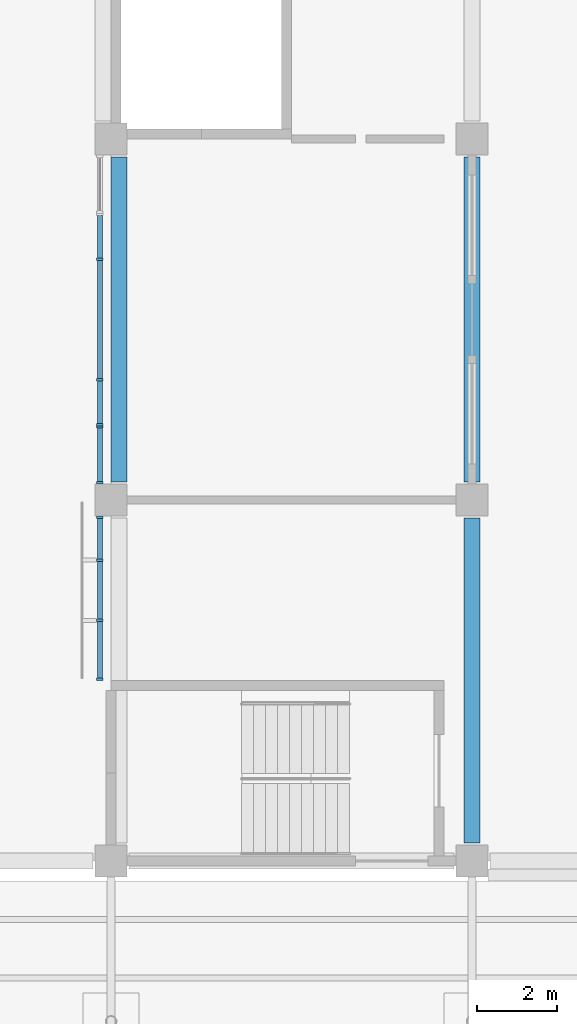
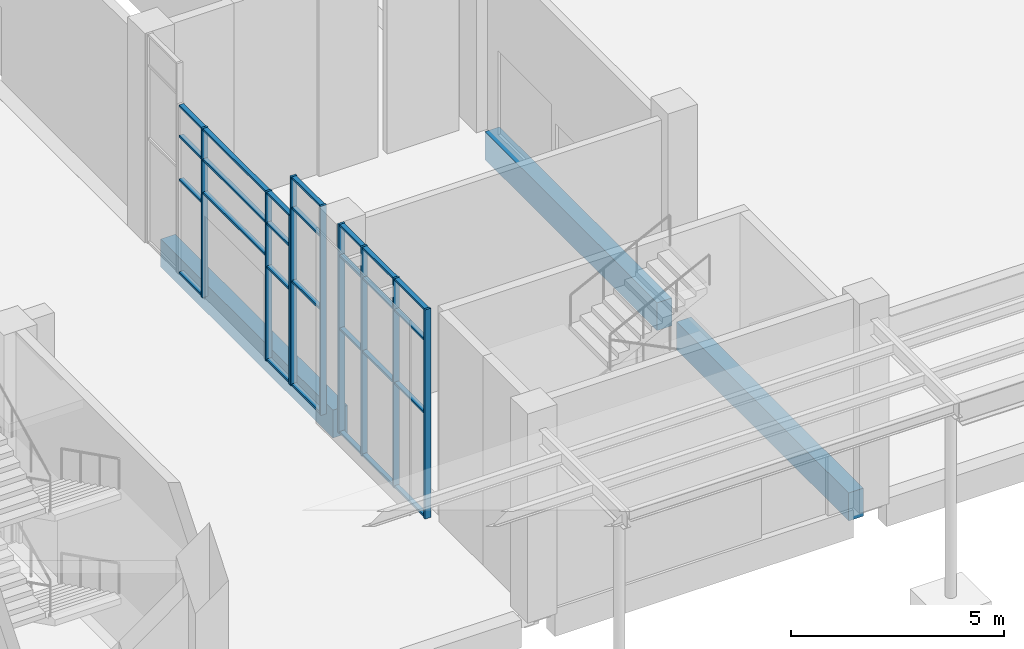
# One storey, part 15 of 86: 36 members, 3 beams, 3 elements without a shape of their own.
"""IFC4 building model written with IfcOpenShell, lengths in metres."""

import ifcopenshell
import ifcopenshell.guid

model = None  # the IFC model being written
_history = None  # IfcOwnerHistory: only IFC2X3 demands one
_inside = {}  # id of a spatial element -> (the spatial element, [elements in it])
_under = {}  # id of a project, library or spatial element -> (it, [spatial elements below it])
_declared = {}  # id of a project -> (the project, [libraries it declares])
_typed = {}  # id of a type object -> (the type object, [elements of that type])
_made_of = {}  # id of a material, layer set ... -> (it, [elements and type objects made of it])


def new_model(schema):
    """Start an empty IFC model of exactly this schema.

    Asked for "IFC4X3", IfcOpenShell would pick the latest addendum, in which some entities
    have other attributes; the version numbers below select the first issue.
    IFC2X3 requires an IfcOwnerHistory on every rooted entity: one is made here for all.
    """
    global model, _history
    if schema == "IFC4X3":
        model = ifcopenshell.file(schema_version=(4, 3, 0, 0))
    else:
        model = ifcopenshell.file(schema=schema)
    _inside.clear()
    _under.clear()
    _declared.clear()
    _typed.clear()
    _made_of.clear()
    _history = None
    if model.schema == "IFC2X3":
        org = make("IfcOrganization", Name="unknown")
        user = make(
            "IfcPersonAndOrganization",
            ThePerson=make("IfcPerson", FamilyName="unknown"),
            TheOrganization=org,
        )
        app = make(
            "IfcApplication",
            ApplicationDeveloper=org,
            Version="unknown",
            ApplicationFullName="unknown",
            ApplicationIdentifier="unknown",
        )
        _history = make(
            "IfcOwnerHistory",
            OwningUser=user,
            OwningApplication=app,
            ChangeAction="ADDED",
            CreationDate=0,
        )
    return model


def make(cls, **values):
    """One entity of the class cls with the attributes given. An attribute that is None is left unset."""
    return model.create_entity(
        cls, **{name: value for name, value in values.items() if value is not None}
    )


def rooted(cls, **values):
    """An entity with a GlobalId (a new one), such as an element, a storey or a relation."""
    return make(cls, GlobalId=ifcopenshell.guid.new(), OwnerHistory=_history, **values)


def si_unit(unit_type, name, prefix=None):
    """IfcSIUnit, for example si_unit("LENGTHUNIT", "METRE", prefix="MILLI")."""
    return make("IfcSIUnit", UnitType=unit_type, Prefix=prefix, Name=name)


def assignment(units):
    """IfcUnitAssignment: the units of a project."""
    return None if units is None else make("IfcUnitAssignment", Units=units)


def point(xyz):
    """IfcCartesianPoint."""
    return None if xyz is None else make("IfcCartesianPoint", Coordinates=xyz)


def direction(xyz):
    """IfcDirection."""
    return None if xyz is None else make("IfcDirection", DirectionRatios=xyz)


def frame(location, z_axis=None, x_axis=None):
    """IfcAxis2Placement3D, a coordinate frame: its origin and axes. An axis left out is left unset."""
    return make(
        "IfcAxis2Placement3D",
        Location=point(location),
        Axis=direction(z_axis),
        RefDirection=direction(x_axis),
    )


def frame_2d(location, x_axis=None):
    """IfcAxis2Placement2D, a coordinate frame in the plane: its origin and x axis."""
    return make(
        "IfcAxis2Placement2D", Location=point(location), RefDirection=direction(x_axis)
    )


def origin():
    """The frame at (0, 0, 0) with its axes left unset."""
    return frame((0.0, 0.0, 0.0))


def origin_2d():
    """The frame at (0, 0) in the plane with its x axis left unset."""
    return frame_2d((0.0, 0.0))


def place(relative_to, where):
    """IfcLocalPlacement: puts the frame where relative to a parent placement (None: the world)."""
    return make(
        "IfcLocalPlacement", PlacementRelTo=relative_to, RelativePlacement=where
    )


def context(
    kind, dimensions, precision=None, world=None, true_north=None, identifier=None
):
    """IfcGeometricRepresentationContext, for example the 3D "Model" context."""
    return make(
        "IfcGeometricRepresentationContext",
        ContextIdentifier=identifier,
        ContextType=kind,
        CoordinateSpaceDimension=dimensions,
        Precision=precision,
        WorldCoordinateSystem=world,
        TrueNorth=true_north,
    )


def subcontext(parent, identifier, kind, view, scale=None):
    """IfcGeometricRepresentationSubContext, for example "Body" below "Model"."""
    return make(
        "IfcGeometricRepresentationSubContext",
        ContextIdentifier=identifier,
        ContextType=kind,
        ParentContext=parent,
        TargetScale=scale,
        TargetView=view,
    )


def project(units=None, contexts=None):
    """IfcProject with its units and contexts."""
    return rooted(
        "IfcProject",
        Name="project",
        RepresentationContexts=contexts,
        UnitsInContext=assignment(units),
    )


def spatial(cls, under=None, at=None, **own):
    """A site, building, storey or space (cls), placed at a placement, below another one or the project."""
    s = rooted(cls, ObjectPlacement=at, **own)
    if under is not None:
        _under.setdefault(under.id(), (under, []))[1].append(s)
    return s


def profile(cls, at=None, kind="AREA", **sizes):
    """A parametric profile (cls). Its sizes go by their IFC names, for example OverallWidth=200.0."""
    return make(cls, ProfileType=kind, Position=at, **sizes)


def rectangle(**sizes):
    """IfcRectangleProfileDef."""
    return profile("IfcRectangleProfileDef", **sizes)


def extrude(swept, where, along, depth):
    """IfcExtrudedAreaSolid: the profile swept, set in the frame where, extruded along a direction by depth."""
    return make(
        "IfcExtrudedAreaSolid",
        SweptArea=swept,
        Position=where,
        ExtrudedDirection=direction(along),
        Depth=depth,
    )


def shape(context_of_items, identifier, shape_type, items):
    """IfcShapeRepresentation: the items that make up one representation, for example the "Body"."""
    return make(
        "IfcShapeRepresentation",
        ContextOfItems=context_of_items,
        RepresentationIdentifier=identifier,
        RepresentationType=shape_type,
        Items=items,
    )


def material(Name=None, Category=None):
    """IfcMaterial."""
    return make("IfcMaterial", Name=Name, Category=Category)


def layer(
    of_material, thickness, ventilated=None, Name=None, Category=None, Priority=None
):
    """IfcMaterialLayer: one layer of a wall or slab, of a material (None: an air gap)."""
    return make(
        "IfcMaterialLayer",
        Material=of_material,
        LayerThickness=thickness,
        IsVentilated=ventilated,
        Name=Name,
        Category=Category,
        Priority=Priority,
    )


def layer_set(layers, Name=None):
    """IfcMaterialLayerSet."""
    return make("IfcMaterialLayerSet", MaterialLayers=layers, LayerSetName=Name)


def material_profile(
    of_material, cross_section, Name=None, Category=None, Priority=None
):
    """IfcMaterialProfile: a cross section and its material."""
    return make(
        "IfcMaterialProfile",
        Name=Name,
        Material=of_material,
        Profile=cross_section,
        Priority=Priority,
        Category=Category,
    )


def profile_set(profiles, Name=None, composite=None):
    """IfcMaterialProfileSet."""
    return make(
        "IfcMaterialProfileSet",
        Name=Name,
        MaterialProfiles=profiles,
        CompositeProfile=composite,
    )


def made_of(thing, what):
    """Note that an element or type object is made of a material, layer set ...; save() writes the relation."""
    if what is not None:
        _made_of.setdefault(what.id(), (what, []))[1].append(thing)
    return thing


def type_object(cls, material=None, **own):
    """A type object (cls), such as IfcWallType, which elements share."""
    return made_of(rooted(cls, **own), material)


def element(
    cls,
    number,
    at=None,
    inside=None,
    cuts=None,
    type_object=None,
    material=None,
    context=None,
    identifier="Body",
    shape_type=None,
    held_by="IfcProductDefinitionShape",
    body=None,
    shapes=None,
    **own,
):
    """One element of the class cls, such as IfcWall. Its Tag is "e" and its number.

    at: its placement. inside: the storey or other place that contains it. cuts: it is an
    opening in that element (IfcRelVoidsElement). A single representation is given by context,
    identifier, shape_type and body (its items); several are given by shapes. held_by: the class
    of the entity that holds the representations. save() writes the other relations.
    """
    e = rooted(cls, Tag="e%d" % number, ObjectPlacement=at, **own)
    if body is not None:
        shapes = [shape(context, identifier, shape_type, body)]
    if shapes is not None:
        e.Representation = make(held_by, Representations=shapes)
    if inside is not None:
        _inside.setdefault(inside.id(), (inside, []))[1].append(e)
    if cuts is not None:
        rooted(
            "IfcRelVoidsElement", RelatingBuildingElement=cuts, RelatedOpeningElement=e
        )
    if type_object is not None:
        _typed.setdefault(type_object.id(), (type_object, []))[1].append(e)
    return made_of(e, material)


def aggregate(whole, parts):
    """IfcRelAggregates: a whole, such as a stair, and the parts it consists of."""
    return rooted("IfcRelAggregates", RelatingObject=whole, RelatedObjects=parts)


def save(model, path):
    """Write the relations noted so far, then the file.

    IfcRelAggregates (storeys below a building ...), IfcRelContainedInSpatialStructure (elements
    in a storey), IfcRelDefinesByType, IfcRelAssociatesMaterial and IfcRelDeclares: one each for
    every whole, place, type object, material and project.
    """
    for whole, parts in _under.values():
        aggregate(whole, parts)
    for where, things in _inside.values():
        rooted(
            "IfcRelContainedInSpatialStructure",
            RelatedElements=things,
            RelatingStructure=where,
        )
    for kind, things in _typed.values():
        rooted("IfcRelDefinesByType", RelatedObjects=things, RelatingType=kind)
    for what, things in _made_of.values():
        rooted("IfcRelAssociatesMaterial", RelatedObjects=things, RelatingMaterial=what)
    for by, libraries in _declared.values():
        rooted("IfcRelDeclares", RelatingContext=by, RelatedDefinitions=libraries)
    model.write(path)


model = new_model("IFC4")

# Units and contexts
model_context = context("Model", 3, precision=1e-05, world=origin(), true_north=direction((0.0, 1.0)))
body_context = subcontext(model_context, "Body", "Model", "MODEL_VIEW")
ifc_project = project(units=[si_unit("LENGTHUNIT", "METRE"), si_unit("AREAUNIT", "SQUARE_METRE"), si_unit("VOLUMEUNIT", "CUBIC_METRE"), si_unit("PLANEANGLEUNIT", "RADIAN"), si_unit("MASSUNIT", "GRAM", prefix="KILO")], contexts=[model_context])

# Site, building, storey
site_placement = place(None, origin())
site = spatial("IfcSite", under=ifc_project, at=site_placement, CompositionType="ELEMENT")
building_placement = place(site_placement, origin())
building = spatial("IfcBuilding", under=site, at=building_placement, Name="Guidao Yard Department Store", CompositionType="ELEMENT")
storey_placement = place(building_placement, origin())
storey = spatial("IfcBuildingStorey", under=building, at=storey_placement, Name="L00", CompositionType="ELEMENT", Elevation=0.0)

# Beams
ifc_material_1 = material(Name="Concrete C40", Category="concrete")
ifc_material_profile_1 = material_profile(ifc_material_1, rectangle(XDim=0.39990234375, YDim=0.800048828125, at=origin_2d()), Name="Edge beam 400 x 800 C40")
ifc_profile_set_1 = profile_set([ifc_material_profile_1], Name="Concrete C40")
beam_type = type_object("IfcBeamType", Name="Edge beam 400 x 800 C40", PredefinedType="BEAM", material=ifc_profile_set_1)
for number, where, z_axis, x_axis, name in (
    (1, (72.199951171875, 54.449951171875, -0.39990234375), (0.0, 1.0, 0.0), (-1.0, 0.0, 0.0), "Beam EB36"),
    (2, (81.0, 45.449951171875, -0.39990234375), (0.0, 1.0, 0.0), (-1.0, 0.0, 0.0), "Beam EB55"),
    (3, (81.0, 54.449951171875, -0.39990234375), (0.0, 1.0, 0.0), (-1.0, 0.0, 0.0), "Beam EB56"),
):
    element("IfcBeam", number, at=place(storey_placement, frame(where, z_axis=z_axis, x_axis=x_axis)), inside=storey, type_object=beam_type, Name=name, PredefinedType="BEAM", context=body_context, shape_type="SweptSolid", body=[
        extrude(rectangle(XDim=0.39990234375, YDim=0.800048828125, at=origin_2d()), origin(), (0.0, 0.0, 1.0), 8.10009765625),
    ])

# Curtain wall, members
ifc_material_2 = material(Name="Aluminium and glass", Category="aluminium")
ifc_layer = layer(ifc_material_2, 0.159912109375)
ifc_layer_set = layer_set([ifc_layer], Name="Shopfront curtain wall CW1 1500 module")
curtain_wall_type = type_object("IfcCurtainWallType", Name="Shopfront curtain wall CW1 1500 module", PredefinedType="NOTDEFINED", material=ifc_layer_set)
curtain_wall_1_placement = place(storey_placement, origin())
curtain_wall_1 = element("IfcCurtainWall", 4, at=curtain_wall_1_placement, inside=storey, type_object=curtain_wall_type, Name="Arcade shop front", PredefinedType="NOTDEFINED")
ifc_material_3 = material(Name="Aluminium 6063-T5", Category="aluminium")
ifc_material_profile_2 = material_profile(ifc_material_3, rectangle(XDim=0.06005859375, YDim=0.159912109375, at=origin_2d()), Name="Mullion M1 60 x 160 aluminium pressure plate")
ifc_profile_set_2 = profile_set([ifc_material_profile_2], Name="Aluminium 6063-T5")
member_type_1 = type_object("IfcMemberType", Name="Mullion M1 60 x 160 aluminium pressure plate", PredefinedType="MULLION", material=ifc_profile_set_2)
member_1_placement = place(storey_placement, frame((71.719970703125, 49.530029296875, 0.0), z_axis=(0.0, 0.0, 1.0), x_axis=(0.0, 1.0, 0.0)))
member_1 = element("IfcMember", 5, at=member_1_placement, type_object=member_type_1, Name="CW-AS-L00-01 mullion 1", PredefinedType="MULLION", context=body_context, shape_type="SweptSolid", body=[
    extrude(rectangle(XDim=0.06005859375, YDim=0.159912109375, at=origin_2d()), origin(), (0.0, 0.0, 1.0), 6.0),
])
member_2_placement = place(storey_placement, frame((71.719970703125, 51.0, 0.0), z_axis=(0.0, 0.0, 1.0), x_axis=(0.0, 1.0, 0.0)))
member_2 = element("IfcMember", 6, at=member_2_placement, type_object=member_type_1, Name="CW-AS-L00-01 mullion 2", PredefinedType="MULLION", context=body_context, shape_type="SweptSolid", body=[
    extrude(rectangle(XDim=0.06005859375, YDim=0.159912109375, at=origin_2d()), origin(), (0.0, 0.0, 1.0), 6.0),
])
member_3_placement = place(storey_placement, frame((71.719970703125, 52.5, 0.0), z_axis=(0.0, 0.0, 1.0), x_axis=(0.0, 1.0, 0.0)))
member_3 = element("IfcMember", 7, at=member_3_placement, type_object=member_type_1, Name="CW-AS-L00-01 mullion 3", PredefinedType="MULLION", context=body_context, shape_type="SweptSolid", body=[
    extrude(rectangle(XDim=0.06005859375, YDim=0.159912109375, at=origin_2d()), origin(), (0.0, 0.0, 1.0), 6.0),
])
member_4_placement = place(storey_placement, frame((71.719970703125, 53.570068359375, 0.0), z_axis=(0.0, 0.0, 1.0), x_axis=(0.0, 1.0, 0.0)))
member_4 = element("IfcMember", 8, at=member_4_placement, type_object=member_type_1, Name="CW-AS-L00-01 mullion 4", PredefinedType="MULLION", context=body_context, shape_type="SweptSolid", body=[
    extrude(rectangle(XDim=0.06005859375, YDim=0.159912109375, at=origin_2d()), origin(), (0.0, 0.0, 1.0), 6.0),
])

curtain_wall_2_placement = place(storey_placement, origin())
curtain_wall_2 = element("IfcCurtainWall", 9, at=curtain_wall_2_placement, inside=storey, type_object=curtain_wall_type, Name="Arcade shop front", PredefinedType="NOTDEFINED")
member_5_placement = place(storey_placement, frame((71.719970703125, 54.429931640625, 0.0), z_axis=(0.0, 0.0, 1.0), x_axis=(0.0, 1.0, 0.0)))
member_5 = element("IfcMember", 10, at=member_5_placement, type_object=member_type_1, Name="CW-AS-L00-02 mullion 1", PredefinedType="MULLION", context=body_context, shape_type="SweptSolid", body=[
    extrude(rectangle(XDim=0.06005859375, YDim=0.159912109375, at=origin_2d()), origin(), (0.0, 0.0, 1.0), 6.0),
])
member_6_placement = place(storey_placement, frame((71.719970703125, 55.820068359375, 0.0), z_axis=(0.0, 0.0, 1.0), x_axis=(0.0, 1.0, 0.0)))
member_6 = element("IfcMember", 11, at=member_6_placement, type_object=member_type_1, Name="CW-AS-L00-02 mullion 2", PredefinedType="MULLION", context=body_context, shape_type="SweptSolid", body=[
    extrude(rectangle(XDim=0.06005859375, YDim=0.159912109375, at=origin_2d()), origin(), (0.0, 0.0, 1.0), 6.0),
])

curtain_wall_3_placement = place(storey_placement, origin())
curtain_wall_3 = element("IfcCurtainWall", 12, at=curtain_wall_3_placement, inside=storey, type_object=curtain_wall_type, Name="Arcade shop front", PredefinedType="NOTDEFINED")
member_7_placement = place(storey_placement, frame((71.719970703125, 55.8798828125, 0.0), z_axis=(0.0, 0.0, 1.0), x_axis=(0.0, 1.0, 0.0)))
member_7 = element("IfcMember", 13, at=member_7_placement, type_object=member_type_1, Name="CW-AS-L00-03 mullion 1", PredefinedType="MULLION", context=body_context, shape_type="SweptSolid", body=[
    extrude(rectangle(XDim=0.06005859375, YDim=0.159912109375, at=origin_2d()), origin(), (0.0, 0.0, 1.0), 4.85009765625),
])
member_8_placement = place(storey_placement, frame((71.719970703125, 57.0, 0.0), z_axis=(0.0, 0.0, 1.0), x_axis=(0.0, 1.0, 0.0)))
member_8 = element("IfcMember", 14, at=member_8_placement, type_object=member_type_1, Name="CW-AS-L00-03 mullion 2", PredefinedType="MULLION", context=body_context, shape_type="SweptSolid", body=[
    extrude(rectangle(XDim=0.06005859375, YDim=0.159912109375, at=origin_2d()), origin(), (0.0, 0.0, 1.0), 4.85009765625),
])
member_9_placement = place(storey_placement, frame((71.719970703125, 60.0, 0.0), z_axis=(0.0, 0.0, 1.0), x_axis=(0.0, 1.0, 0.0)))
member_9 = element("IfcMember", 15, at=member_9_placement, type_object=member_type_1, Name="CW-AS-L00-03 mullion 3", PredefinedType="MULLION", context=body_context, shape_type="SweptSolid", body=[
    extrude(rectangle(XDim=0.06005859375, YDim=0.159912109375, at=origin_2d()), origin(), (0.0, 0.0, 1.0), 4.85009765625),
])

# Member
ifc_material_4 = material(Name="Aluminium 6063-T5", Category="aluminium")
ifc_material_profile_3 = material_profile(ifc_material_4, rectangle(XDim=0.1201171875, YDim=0.06005859375, at=origin_2d()), Name="Transom T1 60 x 120 aluminium pressure plate")
ifc_profile_set_3 = profile_set([ifc_material_profile_3], Name="Aluminium 6063-T5")
member_type_2 = type_object("IfcMemberType", Name="Transom T1 60 x 120 aluminium pressure plate", PredefinedType="USERDEFINED", material=ifc_profile_set_3)
member_10_placement = place(storey_placement, frame((71.719970703125, 49.56005859375, 0.030029296875), z_axis=(0.0, 1.0, 0.0), x_axis=(-1.0, 0.0, 0.0)))
member_10 = element("IfcMember", 16, at=member_10_placement, type_object=member_type_2, Name="CW-AS-L00-01 transom 1.1", ObjectType="TRANSOM", PredefinedType="USERDEFINED", context=body_context, shape_type="SweptSolid", body=[
    extrude(rectangle(XDim=0.1201171875, YDim=0.06005859375, at=origin_2d()), origin(), (0.0, 0.0, 1.0), 1.409912109375),
])

member_11_placement = place(storey_placement, frame((71.719970703125, 49.56005859375, 3.0), z_axis=(0.0, 1.0, 0.0), x_axis=(-1.0, 0.0, 0.0)))
member_11 = element("IfcMember", 17, at=member_11_placement, type_object=member_type_2, Name="CW-AS-L00-01 transom 1.2", ObjectType="TRANSOM", PredefinedType="USERDEFINED", context=body_context, shape_type="SweptSolid", body=[
    extrude(rectangle(XDim=0.1201171875, YDim=0.06005859375, at=origin_2d()), origin(), (0.0, 0.0, 1.0), 1.409912109375),
])

member_12_placement = place(storey_placement, frame((71.719970703125, 49.56005859375, 5.10009765625), z_axis=(0.0, 1.0, 0.0), x_axis=(-1.0, 0.0, 0.0)))
member_12 = element("IfcMember", 18, at=member_12_placement, type_object=member_type_2, Name="CW-AS-L00-01 transom 1.3", ObjectType="TRANSOM", PredefinedType="USERDEFINED", context=body_context, shape_type="SweptSolid", body=[
    extrude(rectangle(XDim=0.1201171875, YDim=0.06005859375, at=origin_2d()), origin(), (0.0, 0.0, 1.0), 1.409912109375),
])

member_13_placement = place(storey_placement, frame((71.719970703125, 49.56005859375, 5.969970703125), z_axis=(0.0, 1.0, 0.0), x_axis=(-1.0, 0.0, 0.0)))
member_13 = element("IfcMember", 19, at=member_13_placement, type_object=member_type_2, Name="CW-AS-L00-01 transom 1.4", ObjectType="TRANSOM", PredefinedType="USERDEFINED", context=body_context, shape_type="SweptSolid", body=[
    extrude(rectangle(XDim=0.1201171875, YDim=0.06005859375, at=origin_2d()), origin(), (0.0, 0.0, 1.0), 1.409912109375),
])

member_14_placement = place(storey_placement, frame((71.719970703125, 51.030029296875, 0.030029296875), z_axis=(0.0, 1.0, 0.0), x_axis=(-1.0, 0.0, 0.0)))
member_14 = element("IfcMember", 20, at=member_14_placement, type_object=member_type_2, Name="CW-AS-L00-01 transom 2.1", ObjectType="TRANSOM", PredefinedType="USERDEFINED", context=body_context, shape_type="SweptSolid", body=[
    extrude(rectangle(XDim=0.1201171875, YDim=0.06005859375, at=origin_2d()), origin(), (0.0, 0.0, 1.0), 1.43994140625),
])

member_15_placement = place(storey_placement, frame((71.719970703125, 51.030029296875, 3.0), z_axis=(0.0, 1.0, 0.0), x_axis=(-1.0, 0.0, 0.0)))
member_15 = element("IfcMember", 21, at=member_15_placement, type_object=member_type_2, Name="CW-AS-L00-01 transom 2.2", ObjectType="TRANSOM", PredefinedType="USERDEFINED", context=body_context, shape_type="SweptSolid", body=[
    extrude(rectangle(XDim=0.1201171875, YDim=0.06005859375, at=origin_2d()), origin(), (0.0, 0.0, 1.0), 1.43994140625),
])

member_16_placement = place(storey_placement, frame((71.719970703125, 51.030029296875, 5.10009765625), z_axis=(0.0, 1.0, 0.0), x_axis=(-1.0, 0.0, 0.0)))
member_16 = element("IfcMember", 22, at=member_16_placement, type_object=member_type_2, Name="CW-AS-L00-01 transom 2.3", ObjectType="TRANSOM", PredefinedType="USERDEFINED", context=body_context, shape_type="SweptSolid", body=[
    extrude(rectangle(XDim=0.1201171875, YDim=0.06005859375, at=origin_2d()), origin(), (0.0, 0.0, 1.0), 1.43994140625),
])

member_17_placement = place(storey_placement, frame((71.719970703125, 51.030029296875, 5.969970703125), z_axis=(0.0, 1.0, 0.0), x_axis=(-1.0, 0.0, 0.0)))
member_17 = element("IfcMember", 23, at=member_17_placement, type_object=member_type_2, Name="CW-AS-L00-01 transom 2.4", ObjectType="TRANSOM", PredefinedType="USERDEFINED", context=body_context, shape_type="SweptSolid", body=[
    extrude(rectangle(XDim=0.1201171875, YDim=0.06005859375, at=origin_2d()), origin(), (0.0, 0.0, 1.0), 1.43994140625),
])

member_18_placement = place(storey_placement, frame((71.719970703125, 52.530029296875, 0.030029296875), z_axis=(0.0, 1.0, 0.0), x_axis=(-1.0, 0.0, 0.0)))
member_18 = element("IfcMember", 24, at=member_18_placement, type_object=member_type_2, Name="CW-AS-L00-01 transom 3.1", ObjectType="TRANSOM", PredefinedType="USERDEFINED", context=body_context, shape_type="SweptSolid", body=[
    extrude(rectangle(XDim=0.1201171875, YDim=0.06005859375, at=origin_2d()), origin(), (0.0, 0.0, 1.0), 1.010009765625),
])

member_19_placement = place(storey_placement, frame((71.719970703125, 52.530029296875, 3.0), z_axis=(0.0, 1.0, 0.0), x_axis=(-1.0, 0.0, 0.0)))
member_19 = element("IfcMember", 25, at=member_19_placement, type_object=member_type_2, Name="CW-AS-L00-01 transom 3.2", ObjectType="TRANSOM", PredefinedType="USERDEFINED", context=body_context, shape_type="SweptSolid", body=[
    extrude(rectangle(XDim=0.1201171875, YDim=0.06005859375, at=origin_2d()), origin(), (0.0, 0.0, 1.0), 1.010009765625),
])

member_20_placement = place(storey_placement, frame((71.719970703125, 52.530029296875, 5.10009765625), z_axis=(0.0, 1.0, 0.0), x_axis=(-1.0, 0.0, 0.0)))
member_20 = element("IfcMember", 26, at=member_20_placement, type_object=member_type_2, Name="CW-AS-L00-01 transom 3.3", ObjectType="TRANSOM", PredefinedType="USERDEFINED", context=body_context, shape_type="SweptSolid", body=[
    extrude(rectangle(XDim=0.1201171875, YDim=0.06005859375, at=origin_2d()), origin(), (0.0, 0.0, 1.0), 1.010009765625),
])

member_21_placement = place(storey_placement, frame((71.719970703125, 52.530029296875, 5.969970703125), z_axis=(0.0, 1.0, 0.0), x_axis=(-1.0, 0.0, 0.0)))
member_21 = element("IfcMember", 27, at=member_21_placement, type_object=member_type_2, Name="CW-AS-L00-01 transom 3.4", ObjectType="TRANSOM", PredefinedType="USERDEFINED", context=body_context, shape_type="SweptSolid", body=[
    extrude(rectangle(XDim=0.1201171875, YDim=0.06005859375, at=origin_2d()), origin(), (0.0, 0.0, 1.0), 1.010009765625),
])

aggregate(curtain_wall_1, [member_1, member_2, member_3, member_4, member_10, member_11, member_12, member_13, member_14, member_15, member_16, member_17, member_18, member_19, member_20, member_21])

member_22_placement = place(storey_placement, frame((71.719970703125, 54.4599609375, 0.030029296875), z_axis=(0.0, 1.0, 0.0), x_axis=(-1.0, 0.0, 0.0)))
member_22 = element("IfcMember", 28, at=member_22_placement, type_object=member_type_2, Name="CW-AS-L00-02 transom 1.1", ObjectType="TRANSOM", PredefinedType="USERDEFINED", context=body_context, shape_type="SweptSolid", body=[
    extrude(rectangle(XDim=0.1201171875, YDim=0.06005859375, at=origin_2d()), origin(), (0.0, 0.0, 1.0), 1.330078125),
])

member_23_placement = place(storey_placement, frame((71.719970703125, 54.4599609375, 3.0), z_axis=(0.0, 1.0, 0.0), x_axis=(-1.0, 0.0, 0.0)))
member_23 = element("IfcMember", 29, at=member_23_placement, type_object=member_type_2, Name="CW-AS-L00-02 transom 1.2", ObjectType="TRANSOM", PredefinedType="USERDEFINED", context=body_context, shape_type="SweptSolid", body=[
    extrude(rectangle(XDim=0.1201171875, YDim=0.06005859375, at=origin_2d()), origin(), (0.0, 0.0, 1.0), 1.330078125),
])

member_24_placement = place(storey_placement, frame((71.719970703125, 54.4599609375, 5.10009765625), z_axis=(0.0, 1.0, 0.0), x_axis=(-1.0, 0.0, 0.0)))
member_24 = element("IfcMember", 30, at=member_24_placement, type_object=member_type_2, Name="CW-AS-L00-02 transom 1.3", ObjectType="TRANSOM", PredefinedType="USERDEFINED", context=body_context, shape_type="SweptSolid", body=[
    extrude(rectangle(XDim=0.1201171875, YDim=0.06005859375, at=origin_2d()), origin(), (0.0, 0.0, 1.0), 1.330078125),
])

member_25_placement = place(storey_placement, frame((71.719970703125, 54.4599609375, 5.969970703125), z_axis=(0.0, 1.0, 0.0), x_axis=(-1.0, 0.0, 0.0)))
member_25 = element("IfcMember", 31, at=member_25_placement, type_object=member_type_2, Name="CW-AS-L00-02 transom 1.4", ObjectType="TRANSOM", PredefinedType="USERDEFINED", context=body_context, shape_type="SweptSolid", body=[
    extrude(rectangle(XDim=0.1201171875, YDim=0.06005859375, at=origin_2d()), origin(), (0.0, 0.0, 1.0), 1.330078125),
])

aggregate(curtain_wall_2, [member_5, member_6, member_22, member_23, member_24, member_25])

member_26_placement = place(storey_placement, frame((71.719970703125, 55.909912109375, 0.030029296875), z_axis=(0.0, 1.0, 0.0), x_axis=(-1.0, 0.0, 0.0)))
member_26 = element("IfcMember", 32, at=member_26_placement, type_object=member_type_2, Name="CW-AS-L00-03 transom 1.1", ObjectType="TRANSOM", PredefinedType="USERDEFINED", context=body_context, shape_type="SweptSolid", body=[
    extrude(rectangle(XDim=0.1201171875, YDim=0.06005859375, at=origin_2d()), origin(), (0.0, 0.0, 1.0), 1.06005859375),
])

member_27_placement = place(storey_placement, frame((71.719970703125, 55.909912109375, 2.699951171875), z_axis=(0.0, 1.0, 0.0), x_axis=(-1.0, 0.0, 0.0)))
member_27 = element("IfcMember", 33, at=member_27_placement, type_object=member_type_2, Name="CW-AS-L00-03 transom 1.2", ObjectType="TRANSOM", PredefinedType="USERDEFINED", context=body_context, shape_type="SweptSolid", body=[
    extrude(rectangle(XDim=0.1201171875, YDim=0.06005859375, at=origin_2d()), origin(), (0.0, 0.0, 1.0), 1.06005859375),
])

member_28_placement = place(storey_placement, frame((71.719970703125, 55.909912109375, 3.949951171875), z_axis=(0.0, 1.0, 0.0), x_axis=(-1.0, 0.0, 0.0)))
member_28 = element("IfcMember", 34, at=member_28_placement, type_object=member_type_2, Name="CW-AS-L00-03 transom 1.3", ObjectType="TRANSOM", PredefinedType="USERDEFINED", context=body_context, shape_type="SweptSolid", body=[
    extrude(rectangle(XDim=0.1201171875, YDim=0.06005859375, at=origin_2d()), origin(), (0.0, 0.0, 1.0), 1.06005859375),
])

member_29_placement = place(storey_placement, frame((71.719970703125, 55.909912109375, 4.820068359375), z_axis=(0.0, 1.0, 0.0), x_axis=(-1.0, 0.0, 0.0)))
member_29 = element("IfcMember", 35, at=member_29_placement, type_object=member_type_2, Name="CW-AS-L00-03 transom 1.4", ObjectType="TRANSOM", PredefinedType="USERDEFINED", context=body_context, shape_type="SweptSolid", body=[
    extrude(rectangle(XDim=0.1201171875, YDim=0.06005859375, at=origin_2d()), origin(), (0.0, 0.0, 1.0), 1.06005859375),
])

member_30_placement = place(storey_placement, frame((71.719970703125, 57.030029296875, 3.0), z_axis=(0.0, 1.0, 0.0), x_axis=(-1.0, 0.0, 0.0)))
member_30 = element("IfcMember", 36, at=member_30_placement, type_object=member_type_2, Name="CW-AS-L00-03 transom 2.2", ObjectType="TRANSOM", PredefinedType="USERDEFINED", context=body_context, shape_type="SweptSolid", body=[
    extrude(rectangle(XDim=0.1201171875, YDim=0.06005859375, at=origin_2d()), origin(), (0.0, 0.0, 1.0), 2.93994140625),
])

member_31_placement = place(storey_placement, frame((71.719970703125, 57.030029296875, 3.949951171875), z_axis=(0.0, 1.0, 0.0), x_axis=(-1.0, 0.0, 0.0)))
member_31 = element("IfcMember", 37, at=member_31_placement, type_object=member_type_2, Name="CW-AS-L00-03 transom 2.3", ObjectType="TRANSOM", PredefinedType="USERDEFINED", context=body_context, shape_type="SweptSolid", body=[
    extrude(rectangle(XDim=0.1201171875, YDim=0.06005859375, at=origin_2d()), origin(), (0.0, 0.0, 1.0), 2.93994140625),
])

member_32_placement = place(storey_placement, frame((71.719970703125, 57.030029296875, 4.820068359375), z_axis=(0.0, 1.0, 0.0), x_axis=(-1.0, 0.0, 0.0)))
member_32 = element("IfcMember", 38, at=member_32_placement, type_object=member_type_2, Name="CW-AS-L00-03 transom 2.4", ObjectType="TRANSOM", PredefinedType="USERDEFINED", context=body_context, shape_type="SweptSolid", body=[
    extrude(rectangle(XDim=0.1201171875, YDim=0.06005859375, at=origin_2d()), origin(), (0.0, 0.0, 1.0), 2.93994140625),
])

member_33_placement = place(storey_placement, frame((71.719970703125, 60.030029296875, 0.030029296875), z_axis=(0.0, 1.0, 0.0), x_axis=(-1.0, 0.0, 0.0)))
member_33 = element("IfcMember", 39, at=member_33_placement, type_object=member_type_2, Name="CW-AS-L00-03 transom 3.1", ObjectType="TRANSOM", PredefinedType="USERDEFINED", context=body_context, shape_type="SweptSolid", body=[
    extrude(rectangle(XDim=0.1201171875, YDim=0.06005859375, at=origin_2d()), origin(), (0.0, 0.0, 1.0), 1.06005859375),
])

member_34_placement = place(storey_placement, frame((71.719970703125, 60.030029296875, 2.699951171875), z_axis=(0.0, 1.0, 0.0), x_axis=(-1.0, 0.0, 0.0)))
member_34 = element("IfcMember", 40, at=member_34_placement, type_object=member_type_2, Name="CW-AS-L00-03 transom 3.2", ObjectType="TRANSOM", PredefinedType="USERDEFINED", context=body_context, shape_type="SweptSolid", body=[
    extrude(rectangle(XDim=0.1201171875, YDim=0.06005859375, at=origin_2d()), origin(), (0.0, 0.0, 1.0), 1.06005859375),
])

member_35_placement = place(storey_placement, frame((71.719970703125, 60.030029296875, 3.949951171875), z_axis=(0.0, 1.0, 0.0), x_axis=(-1.0, 0.0, 0.0)))
member_35 = element("IfcMember", 41, at=member_35_placement, type_object=member_type_2, Name="CW-AS-L00-03 transom 3.3", ObjectType="TRANSOM", PredefinedType="USERDEFINED", context=body_context, shape_type="SweptSolid", body=[
    extrude(rectangle(XDim=0.1201171875, YDim=0.06005859375, at=origin_2d()), origin(), (0.0, 0.0, 1.0), 1.06005859375),
])

member_36_placement = place(storey_placement, frame((71.719970703125, 60.030029296875, 4.820068359375), z_axis=(0.0, 1.0, 0.0), x_axis=(-1.0, 0.0, 0.0)))
member_36 = element("IfcMember", 42, at=member_36_placement, type_object=member_type_2, Name="CW-AS-L00-03 transom 3.4", ObjectType="TRANSOM", PredefinedType="USERDEFINED", context=body_context, shape_type="SweptSolid", body=[
    extrude(rectangle(XDim=0.1201171875, YDim=0.06005859375, at=origin_2d()), origin(), (0.0, 0.0, 1.0), 1.06005859375),
])

aggregate(curtain_wall_3, [member_7, member_8, member_9, member_26, member_27, member_28, member_29, member_30, member_31, member_32, member_33, member_34, member_35, member_36])

save(model, "model.ifc")
